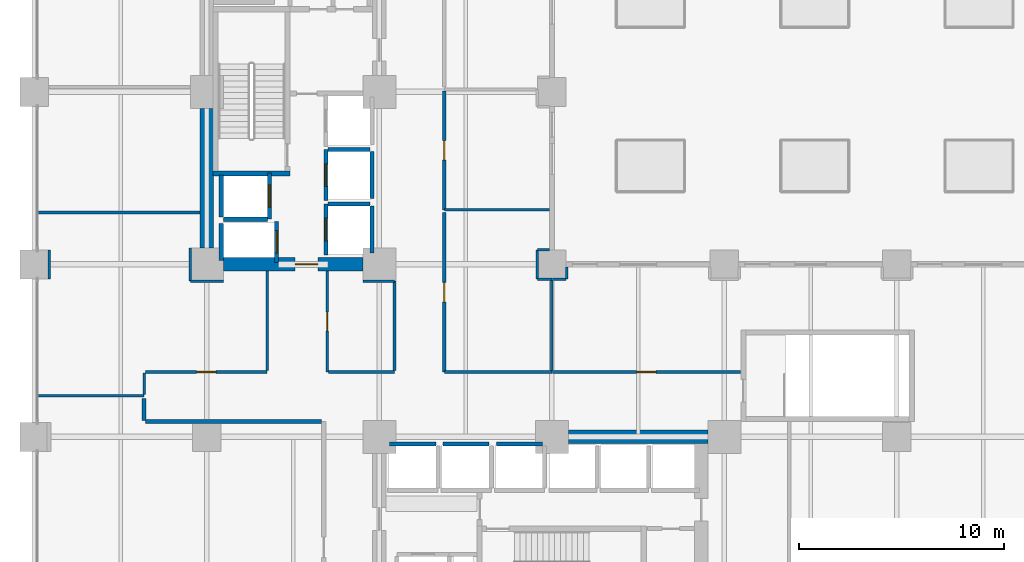
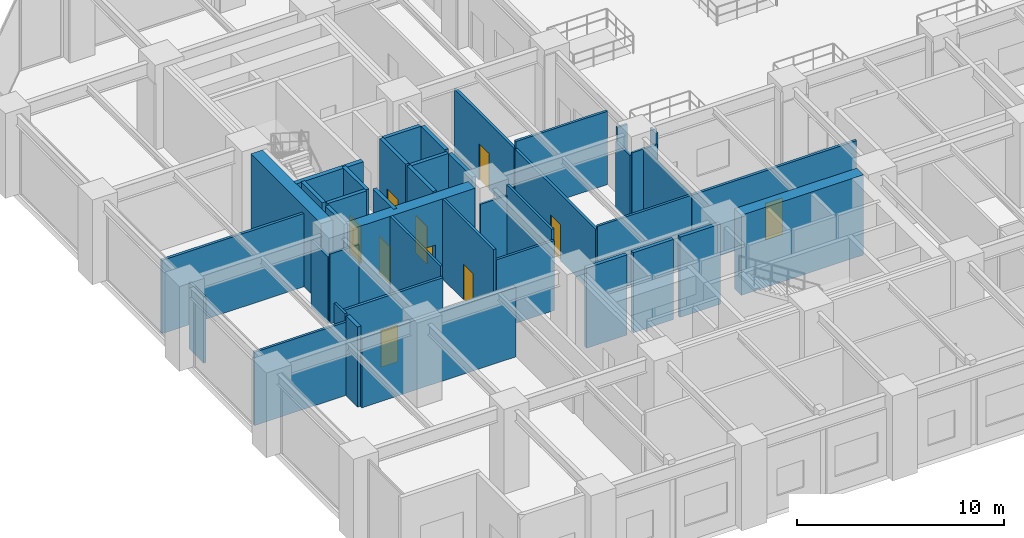
# One storey, part 14 of 21: 43 walls, 10 doors, 10 openings.
"""IFC4 building model written with IfcOpenShell, lengths in metres."""

from ifc_helpers import new_model, si_unit, direction, frame, frame_2d, origin, place, context, subcontext, project, spatial, rectangle, extrude, material, layer, layer_set, type_object, element, fill, save


model = new_model("IFC4")

# Units and contexts
model_context = context("Model", 3, precision=1e-05, world=origin(), true_north=direction((0.0, 1.0)))
body_context = subcontext(model_context, "Body", "Model", "MODEL_VIEW")
ifc_project = project(units=[si_unit("LENGTHUNIT", "METRE"), si_unit("AREAUNIT", "SQUARE_METRE"), si_unit("VOLUMEUNIT", "CUBIC_METRE"), si_unit("PLANEANGLEUNIT", "RADIAN"), si_unit("MASSUNIT", "GRAM", prefix="KILO")], contexts=[model_context])

# Site, building, storey
site_placement = place(None, origin())
site = spatial("IfcSite", under=ifc_project, at=site_placement, CompositionType="ELEMENT")
building_placement = place(site_placement, origin())
building = spatial("IfcBuilding", under=site, at=building_placement, Name="Nerrivon Quay Data Exchange", CompositionType="ELEMENT")
storey_placement = place(building_placement, frame((0.0, 0.0, 19.800048828125)))
storey = spatial("IfcBuildingStorey", under=building, at=storey_placement, Name="L04", CompositionType="ELEMENT", Elevation=19.800048828125)

# Wall
ifc_material_1 = material(Name="Concrete N80 (80 MPa)", Category="concrete")
ifc_layer_1 = layer(ifc_material_1, 0.64990234375)
ifc_layer_set_1 = layer_set([ifc_layer_1], Name="Concrete N80 (80 MPa)")
wall_type_1 = type_object("IfcWallType", Name="WALL-CW-850", PredefinedType="SHEAR", material=ifc_layer_set_1)
wall_1_placement = place(storey_placement, frame((8.39990234375, 26.0, 0.0), z_axis=(0.0, 0.0, 1.0), x_axis=(0.0, 1.0, 0.0)))
element("IfcWall", 1, at=wall_1_placement, inside=storey, type_object=wall_type_1, Name="L04 West Split-Core Shear Wall WCW-W1", PredefinedType="SHEAR", context=body_context, shape_type="SweptSolid", body=[
    extrude(rectangle(XDim=6.800048828125, YDim=0.64990234375, at=frame_2d((3.39990234375, 0.0))), origin(), (0.0, 0.0, 1.0), 4.724853515625),
])

# Wall, opening, door
wall_2_placement = place(storey_placement, frame((9.199951171875, 25.199951171875, 0.0), z_axis=(0.0, 0.0, 1.0), x_axis=(1.0, 0.0, 0.0)))
wall_2 = element("IfcWall", 2, at=wall_2_placement, inside=storey, type_object=wall_type_1, Name="L04 West Split-Core Shear Wall WCW-S1", PredefinedType="SHEAR", context=body_context, shape_type="SweptSolid", body=[
    extrude(rectangle(XDim=6.800048828125, YDim=0.64990234375, at=frame_2d((3.39990234375, 0.0))), origin(), (0.0, 0.0, 1.0), 4.724853515625),
])
opening_1_placement = place(wall_2_placement, frame((3.5, 0.0, 0.0)))
opening_1 = element("IfcOpeningElement", 3, at=opening_1_placement, cuts=wall_2, Name="Opening FD-120", PredefinedType="OPENING", context=body_context, shape_type="SweptSolid", body=[
    extrude(rectangle(XDim=1.10009765625, YDim=2.14990234375, at=frame_2d((0.550048828125, 1.074951171875))), frame((0.0, 0.3349609375, 0.0), z_axis=(0.0, -1.0, 0.0), x_axis=(1.0, 0.0, 0.0)), (0.0, 0.0, 1.0), 0.669921875),
])
ifc_material_2 = material(Name="Powder-coated galvanized steel sheet", Category="steel")
door_type_1 = type_object("IfcDoorType", Name="DR-FD120-1100", OperationType="NOTDEFINED", PredefinedType="DOOR", material=ifc_material_2)
door_1_placement = place(opening_1_placement, origin())
door_1 = element("IfcDoor", 4, at=door_1_placement, inside=storey, type_object=door_type_1, Name="L04 West Core Lobby Fire Door", OperationType="SINGLE_SWING_LEFT", OverallHeight=2.14990234375, OverallWidth=1.10009765625, PredefinedType="DOOR", context=body_context, shape_type="SweptSolid", body=[
    extrude(rectangle(XDim=1.10009765625, YDim=2.14990234375, at=frame_2d((0.550048828125, 1.074951171875))), frame((0.0, 0.02490234375, 0.0), z_axis=(0.0, -1.0, 0.0), x_axis=(1.0, 0.0, 0.0)), (0.0, 0.0, 1.0), 0.050048828125),
])
fill(opening_1, door_1)

# Wall
wall_3_placement = place(storey_placement, frame((26.0, 16.800048828125, 0.0), z_axis=(0.0, 0.0, 1.0), x_axis=(1.0, 0.0, 0.0)))
element("IfcWall", 5, at=wall_3_placement, inside=storey, type_object=wall_type_1, Name="L04 East Split-Core Shear Wall ECW-N1", PredefinedType="SHEAR", context=body_context, shape_type="SweptSolid", body=[
    extrude(rectangle(XDim=6.800048828125, YDim=0.64990234375, at=frame_2d((3.39990234375, 0.0))), origin(), (0.0, 0.0, 1.0), 4.724853515625),
])

# Wall, opening, door
ifc_material_3 = material(Name="Gypsum plasterboard on cold-formed framing", Category="gypsum")
ifc_layer_2 = layer(ifc_material_3, 0.199951171875)
ifc_layer_set_2 = layer_set([ifc_layer_2], Name="Gypsum plasterboard on cold-formed framing")
wall_type_2 = type_object("IfcWallType", Name="WALL-FW-200", PredefinedType="PARTITIONING", material=ifc_layer_set_2)
wall_4_placement = place(storey_placement, frame((11.449951171875, 27.39990234375, 0.0), z_axis=(0.0, 0.0, 1.0), x_axis=(0.0, 1.0, 0.0)))
wall_4 = element("IfcWall", 6, at=wall_4_placement, inside=storey, type_object=wall_type_2, Name="L04 Lift Front Wall FFL-1", PredefinedType="PARTITIONING", context=body_context, shape_type="SweptSolid", body=[
    extrude(rectangle(XDim=2.25, YDim=0.199951171875, at=frame_2d((1.125, 0.0))), origin(), (0.0, 0.0, 1.0), 4.724853515625),
])
opening_2_placement = place(wall_4_placement, frame((0.574951171875, 0.0, 0.0)))
opening_2 = element("IfcOpeningElement", 7, at=opening_2_placement, cuts=wall_4, Name="Opening LD-120", PredefinedType="OPENING", context=body_context, shape_type="SweptSolid", body=[
    extrude(rectangle(XDim=1.10009765625, YDim=2.199951171875, at=frame_2d((0.550048828125, 1.10009765625))), frame((0.0, 0.10986328125, 0.0), z_axis=(0.0, -1.0, 0.0), x_axis=(1.0, 0.0, 0.0)), (0.0, 0.0, 1.0), 0.219970703125),
])
door_type_2 = type_object("IfcDoorType", Name="DR-LIFT-LD120", OperationType="DOUBLE_DOOR_SLIDING", PredefinedType="DOOR", material=ifc_material_2)
door_2_placement = place(opening_2_placement, origin())
door_2 = element("IfcDoor", 8, at=door_2_placement, inside=storey, type_object=door_type_2, Name="L04 Lift Landing Sliding Door FFL-1", OperationType="DOUBLE_DOOR_SLIDING", OverallHeight=2.199951171875, OverallWidth=1.10009765625, PredefinedType="DOOR", context=body_context, shape_type="SweptSolid", body=[
    extrude(rectangle(XDim=1.10009765625, YDim=2.199951171875, at=frame_2d((0.550048828125, 1.10009765625))), frame((0.0, 0.02490234375, 0.0), z_axis=(0.0, -1.0, 0.0), x_axis=(1.0, 0.0, 0.0)), (0.0, 0.0, 1.0), 0.050048828125),
])
fill(opening_2, door_2)

# Walls
wall_5_placement = place(storey_placement, frame((9.10009765625, 27.5, 0.0), z_axis=(0.0, 0.0, 1.0), x_axis=(0.0, 1.0, 0.0)))
element("IfcWall", 9, at=wall_5_placement, inside=storey, type_object=wall_type_2, Name="L04 Lift Shaft Wall FFL-1 WEST", PredefinedType="PARTITIONING", context=body_context, shape_type="SweptSolid", body=[
    extrude(rectangle(XDim=2.050048828125, YDim=0.199951171875, at=frame_2d((1.02490234375, 0.0))), origin(), (0.0, 0.0, 1.0), 4.724853515625),
])
wall_6_placement = place(storey_placement, frame((9.199951171875, 27.39990234375, 0.0), z_axis=(0.0, 0.0, 1.0), x_axis=(1.0, 0.0, 0.0)))
element("IfcWall", 10, at=wall_6_placement, inside=storey, type_object=wall_type_2, Name="L04 Lift Shaft Wall FFL-1 SOUTH", PredefinedType="PARTITIONING", context=body_context, shape_type="SweptSolid", body=[
    extrude(rectangle(XDim=2.150146484375, YDim=0.199951171875, at=frame_2d((1.0751953125, 0.0))), origin(), (0.0, 0.0, 1.0), 4.724853515625),
])

# Wall, opening, door
wall_7_placement = place(storey_placement, frame((11.800048828125, 25.300048828125, 0.0), z_axis=(0.0, 0.0, 1.0), x_axis=(0.0, 1.0, 0.0)))
wall_7 = element("IfcWall", 11, at=wall_7_placement, inside=storey, type_object=wall_type_2, Name="L04 Lift Front Wall SVL-1", PredefinedType="PARTITIONING", context=body_context, shape_type="SweptSolid", body=[
    extrude(rectangle(XDim=2.0, YDim=0.199951171875, at=frame_2d((1.0, 0.0))), origin(), (0.0, 0.0, 1.0), 4.724853515625),
])
opening_3_placement = place(wall_7_placement, frame((0.449951171875, 0.0, 0.0)))
opening_3 = element("IfcOpeningElement", 12, at=opening_3_placement, cuts=wall_7, Name="Opening LD-120", PredefinedType="OPENING", context=body_context, shape_type="SweptSolid", body=[
    extrude(rectangle(XDim=1.10009765625, YDim=2.199951171875, at=frame_2d((0.550048828125, 1.10009765625))), frame((0.0, 0.10986328125, 0.0), z_axis=(0.0, -1.0, 0.0), x_axis=(1.0, 0.0, 0.0)), (0.0, 0.0, 1.0), 0.219970703125),
])
door_3_placement = place(opening_3_placement, origin())
door_3 = element("IfcDoor", 13, at=door_3_placement, inside=storey, type_object=door_type_2, Name="L04 Lift Landing Sliding Door SVL-1", OperationType="DOUBLE_DOOR_SLIDING", OverallHeight=2.199951171875, OverallWidth=1.10009765625, PredefinedType="DOOR", context=body_context, shape_type="SweptSolid", body=[
    extrude(rectangle(XDim=1.10009765625, YDim=2.199951171875, at=frame_2d((0.550048828125, 1.10009765625))), frame((0.0, 0.02490234375, 0.0), z_axis=(0.0, -1.0, 0.0), x_axis=(1.0, 0.0, 0.0)), (0.0, 0.0, 1.0), 0.050048828125),
])
fill(opening_3, door_3)

# Wall
wall_8_placement = place(storey_placement, frame((9.10009765625, 25.39990234375, 0.0), z_axis=(0.0, 0.0, 1.0), x_axis=(0.0, 1.0, 0.0)))
element("IfcWall", 14, at=wall_8_placement, inside=storey, type_object=wall_type_2, Name="L04 Lift Shaft Wall SVL-1 WEST", PredefinedType="PARTITIONING", context=body_context, shape_type="SweptSolid", body=[
    extrude(rectangle(XDim=1.800048828125, YDim=0.199951171875, at=frame_2d((0.89990234375, 0.0))), origin(), (0.0, 0.0, 1.0), 4.724853515625),
])

# Wall, opening, door
wall_9_placement = place(storey_placement, frame((14.199951171875, 25.64990234375, 0.0), z_axis=(0.0, 0.0, 1.0), x_axis=(0.0, 1.0, 0.0)))
wall_9 = element("IfcWall", 15, at=wall_9_placement, inside=storey, type_object=wall_type_2, Name="L04 Lift Front Wall PL1", PredefinedType="PARTITIONING", context=body_context, shape_type="SweptSolid", body=[
    extrude(rectangle(XDim=2.5, YDim=0.199951171875, at=frame_2d((1.25, 0.0))), origin(), (0.0, 0.0, 1.0), 4.724853515625),
])
opening_4_placement = place(wall_9_placement, frame((0.699951171875, 0.0, 0.0)))
opening_4 = element("IfcOpeningElement", 16, at=opening_4_placement, cuts=wall_9, Name="Opening LD-120", PredefinedType="OPENING", context=body_context, shape_type="SweptSolid", body=[
    extrude(rectangle(XDim=1.10009765625, YDim=2.199951171875, at=frame_2d((0.550048828125, 1.10009765625))), frame((0.0, 0.10986328125, 0.0), z_axis=(0.0, -1.0, 0.0), x_axis=(1.0, 0.0, 0.0)), (0.0, 0.0, 1.0), 0.219970703125),
])
door_4_placement = place(opening_4_placement, origin())
door_4 = element("IfcDoor", 17, at=door_4_placement, inside=storey, type_object=door_type_2, Name="L04 Lift Landing Sliding Door PL1", OperationType="DOUBLE_DOOR_SLIDING", OverallHeight=2.199951171875, OverallWidth=1.10009765625, PredefinedType="DOOR", context=body_context, shape_type="SweptSolid", body=[
    extrude(rectangle(XDim=1.10009765625, YDim=2.199951171875, at=frame_2d((0.550048828125, 1.10009765625))), frame((0.0, 0.02490234375, 0.0), z_axis=(0.0, -1.0, 0.0), x_axis=(1.0, 0.0, 0.0)), (0.0, 0.0, 1.0), 0.050048828125),
])
fill(opening_4, door_4)

# Walls
wall_10_placement = place(storey_placement, frame((16.449951171875, 25.75, 0.0), z_axis=(0.0, 0.0, 1.0), x_axis=(0.0, 1.0, 0.0)))
element("IfcWall", 18, at=wall_10_placement, inside=storey, type_object=wall_type_2, Name="L04 Lift Shaft Wall PL1 EAST", PredefinedType="PARTITIONING", context=body_context, shape_type="SweptSolid", body=[
    extrude(rectangle(XDim=2.300048828125, YDim=0.199951171875, at=frame_2d((1.14990234375, 0.0))), origin(), (0.0, 0.0, 1.0), 4.724853515625),
])
wall_11_placement = place(storey_placement, frame((14.300048828125, 28.14990234375, 0.0), z_axis=(0.0, 0.0, 1.0), x_axis=(1.0, 0.0, 0.0)))
element("IfcWall", 19, at=wall_11_placement, inside=storey, type_object=wall_type_2, Name="L04 Lift Shaft Wall PL1 NORTH", PredefinedType="PARTITIONING", context=body_context, shape_type="SweptSolid", body=[
    extrude(rectangle(XDim=2.050048828125, YDim=0.199951171875, at=frame_2d((1.02490234375, 0.0))), origin(), (0.0, 0.0, 1.0), 4.724853515625),
])

# Wall, opening, door
wall_12_placement = place(storey_placement, frame((14.199951171875, 28.300048828125, 0.0), z_axis=(0.0, 0.0, 1.0), x_axis=(0.0, 1.0, 0.0)))
wall_12 = element("IfcWall", 20, at=wall_12_placement, inside=storey, type_object=wall_type_2, Name="L04 Lift Front Wall PL2", PredefinedType="PARTITIONING", context=body_context, shape_type="SweptSolid", body=[
    extrude(rectangle(XDim=2.5, YDim=0.199951171875, at=frame_2d((1.25, 0.0))), origin(), (0.0, 0.0, 1.0), 4.724853515625),
])
opening_5_placement = place(wall_12_placement, frame((0.699951171875, 0.0, 0.0)))
opening_5 = element("IfcOpeningElement", 21, at=opening_5_placement, cuts=wall_12, Name="Opening LD-120", PredefinedType="OPENING", context=body_context, shape_type="SweptSolid", body=[
    extrude(rectangle(XDim=1.10009765625, YDim=2.199951171875, at=frame_2d((0.550048828125, 1.10009765625))), frame((0.0, 0.10986328125, 0.0), z_axis=(0.0, -1.0, 0.0), x_axis=(1.0, 0.0, 0.0)), (0.0, 0.0, 1.0), 0.219970703125),
])
door_5_placement = place(opening_5_placement, origin())
door_5 = element("IfcDoor", 22, at=door_5_placement, inside=storey, type_object=door_type_2, Name="L04 Lift Landing Sliding Door PL2", OperationType="DOUBLE_DOOR_SLIDING", OverallHeight=2.199951171875, OverallWidth=1.10009765625, PredefinedType="DOOR", context=body_context, shape_type="SweptSolid", body=[
    extrude(rectangle(XDim=1.10009765625, YDim=2.199951171875, at=frame_2d((0.550048828125, 1.10009765625))), frame((0.0, 0.02490234375, 0.0), z_axis=(0.0, -1.0, 0.0), x_axis=(1.0, 0.0, 0.0)), (0.0, 0.0, 1.0), 0.050048828125),
])
fill(opening_5, door_5)

# Walls
wall_13_placement = place(storey_placement, frame((16.449951171875, 28.39990234375, 0.0), z_axis=(0.0, 0.0, 1.0), x_axis=(0.0, 1.0, 0.0)))
element("IfcWall", 23, at=wall_13_placement, inside=storey, type_object=wall_type_2, Name="L04 Lift Shaft Wall PL2 EAST", PredefinedType="PARTITIONING", context=body_context, shape_type="SweptSolid", body=[
    extrude(rectangle(XDim=2.300048828125, YDim=0.199951171875, at=frame_2d((1.14990234375, 0.0))), origin(), (0.0, 0.0, 1.0), 4.724853515625),
])
wall_14_placement = place(storey_placement, frame((14.300048828125, 30.800048828125, 0.0), z_axis=(0.0, 0.0, 1.0), x_axis=(1.0, 0.0, 0.0)))
element("IfcWall", 24, at=wall_14_placement, inside=storey, type_object=wall_type_2, Name="L04 Lift Shaft Wall PL2 NORTH", PredefinedType="PARTITIONING", context=body_context, shape_type="SweptSolid", body=[
    extrude(rectangle(XDim=2.050048828125, YDim=0.199951171875, at=frame_2d((1.02490234375, 0.0))), origin(), (0.0, 0.0, 1.0), 4.724853515625),
])
for number, where, z_axis, x_axis, name in (
    (25, (17.300048828125, 16.449951171875, 0.0), (0.0, 0.0, 1.0), (1.0, 0.0, 0.0), "L04 Lift Shaft Wall PL4 NORTH"),
    (26, (19.89990234375, 16.449951171875, 0.0), (0.0, 0.0, 1.0), (1.0, 0.0, 0.0), "L04 Lift Shaft Wall PL5 NORTH"),
    (27, (22.5, 16.449951171875, 0.0), (0.0, 0.0, 1.0), (1.0, 0.0, 0.0), "L04 Lift Shaft Wall PL6 NORTH"),
):
    element("IfcWall", number, at=place(storey_placement, frame(where, z_axis=z_axis, x_axis=x_axis)), inside=storey, type_object=wall_type_2, Name=name, PredefinedType="PARTITIONING", context=body_context, shape_type="SweptSolid", body=[
        extrude(rectangle(XDim=2.25, YDim=0.199951171875, at=frame_2d((1.125, 0.0))), origin(), (0.0, 0.0, 1.0), 4.724853515625),
    ])
wall_15_placement = place(storey_placement, frame((13.986083984375, 17.5400390625, 0.0), z_axis=(0.0, 0.0, 1.0), x_axis=(-1.0, 0.0, 0.0)))
element("IfcWall", 28, at=wall_15_placement, inside=storey, type_object=wall_type_2, Name="L04 Partition Colocation Data Workspace 1", PredefinedType="PARTITIONING", context=body_context, shape_type="SweptSolid", body=[
    extrude(rectangle(XDim=8.586181640625, YDim=0.199951171875, at=frame_2d((4.29296875, 0.0))), origin(), (0.0, 0.0, 1.0), 4.113037109375),
])
wall_16_placement = place(storey_placement, frame((5.34033203125, 17.593994140625, 0.0), z_axis=(0.0, 0.0, 1.0), x_axis=(-0.000224567702, 0.999999974785, 0.0)))
element("IfcWall", 29, at=wall_16_placement, inside=storey, type_object=wall_type_2, Name="L04 Partition Colocation Data Workspace 1", PredefinedType="PARTITIONING", context=body_context, shape_type="SweptSolid", body=[
    extrude(rectangle(XDim=1.087158203125, YDim=0.199951171875, at=frame_2d((0.54345703125, 0.0))), origin(), (0.0, 0.0, 1.0), 4.724853515625),
])
ifc_layer_3 = layer(ifc_material_3, 0.1201171875)
ifc_layer_set_3 = layer_set([ifc_layer_3], Name="Gypsum plasterboard on cold-formed framing")
wall_type_3 = type_object("IfcWallType", Name="WALL-PT-120", PredefinedType="PARTITIONING", material=ifc_layer_set_3)
wall_17_placement = place(storey_placement, frame((17.5400390625, 24.3798828125, 0.0), z_axis=(0.0, 0.0, 1.0), x_axis=(-0.99999980047, 0.000631711813, 0.0)))
element("IfcWall", 30, at=wall_17_placement, inside=storey, type_object=wall_type_3, Name="L04 Partition Public Washrooms", PredefinedType="PARTITIONING", context=body_context, shape_type="SweptSolid", body=[
    extrude(rectangle(XDim=1.5458984375, YDim=0.1201171875, at=frame_2d((0.77294921875, 0.0))), origin(), (0.0, 0.0, 1.0), 4.113037109375),
])
wall_18_placement = place(storey_placement, frame((25.199951171875, 24.47998046875, 0.0), z_axis=(0.0, 0.0, 1.0), x_axis=(-1.0, 0.0, 0.0)))
element("IfcWall", 31, at=wall_18_placement, inside=storey, type_object=wall_type_3, Name="L04 Partition Engineers Lounge", PredefinedType="PARTITIONING", context=body_context, shape_type="SweptSolid", body=[
    extrude(rectangle(XDim=0.699951171875, YDim=0.1201171875, at=frame_2d((0.35009765625, 0.0))), origin(), (0.0, 0.0, 1.0), 4.113037109375),
])
wall_19_placement = place(storey_placement, frame((24.47998046875, 24.5, 0.0), z_axis=(0.0, 0.0, 1.0), x_axis=(0.0, 1.0, 0.0)))
element("IfcWall", 32, at=wall_19_placement, inside=storey, type_object=wall_type_3, Name="L04 Partition Engineers Lounge", PredefinedType="PARTITIONING", context=body_context, shape_type="SweptSolid", body=[
    extrude(rectangle(XDim=1.39990234375, YDim=0.1201171875, at=frame_2d((0.699951171875, 0.0))), origin(), (0.0, 0.0, 1.0), 3.925048828125),
])
wall_20_placement = place(storey_placement, frame((24.5, 25.919921875, 0.0), z_axis=(0.0, 0.0, 1.0), x_axis=(1.0, 0.0, 0.0)))
element("IfcWall", 33, at=wall_20_placement, inside=storey, type_object=wall_type_3, Name="L04 Partition Engineers Lounge", PredefinedType="PARTITIONING", context=body_context, shape_type="SweptSolid", body=[
    extrude(rectangle(XDim=0.575927734375, YDim=0.1201171875, at=frame_2d((0.2880859375, 0.0))), origin(), (0.0, 0.0, 1.0), 4.724853515625),
])
wall_21_placement = place(storey_placement, frame((9.205810546875, 24.380859375, 0.0), z_axis=(0.0, 0.0, 1.0), x_axis=(-0.999999815059, -0.000608179909, 0.0)))
element("IfcWall", 34, at=wall_21_placement, inside=storey, type_object=wall_type_3, Name="L04 Partition Peering Day Lounge", PredefinedType="PARTITIONING", context=body_context, shape_type="SweptSolid", body=[
    extrude(rectangle(XDim=1.605712890625, YDim=0.1201171875, at=frame_2d((0.802734375, 0.0))), origin(), (0.0, 0.0, 1.0), 4.113037109375),
])
wall_22_placement = place(storey_placement, frame((7.580078125, 24.39990234375, 0.0), z_axis=(0.0, 0.0, 1.0), x_axis=(0.000456065626, 0.999999896002, 0.0)))
element("IfcWall", 35, at=wall_22_placement, inside=storey, type_object=wall_type_3, Name="L04 Partition Peering Day Lounge", PredefinedType="PARTITIONING", context=body_context, shape_type="SweptSolid", body=[
    extrude(rectangle(XDim=1.60595703125, YDim=0.1201171875, at=frame_2d((0.802978515625, 0.0))), origin(), (0.0, 0.0, 1.0), 3.925048828125),
])
wall_23_placement = place(storey_placement, frame((0.719970703125, 25.89990234375, 0.0), z_axis=(0.0, 0.0, 1.0), x_axis=(0.0, -1.0, 0.0)))
element("IfcWall", 36, at=wall_23_placement, inside=storey, type_object=wall_type_3, Name="L04 Partition Peering Day Lounge", PredefinedType="PARTITIONING", context=body_context, shape_type="SweptSolid", body=[
    extrude(rectangle(XDim=1.39990234375, YDim=0.1201171875, at=frame_2d((0.699951171875, 0.0))), origin(), (0.0, 0.0, 1.0), 3.925048828125),
])
wall_24_placement = place(storey_placement, frame((5.340087890625, 18.872802734375, 0.0), z_axis=(0.0, 0.0, 1.0), x_axis=(0.0, 1.0, 0.0)))
element("IfcWall", 37, at=wall_24_placement, inside=storey, type_object=wall_type_3, Name="L04 Partition Peering Day Lounge", PredefinedType="PARTITIONING", context=body_context, shape_type="SweptSolid", body=[
    extrude(rectangle(XDim=1.027099609375, YDim=0.1201171875, at=frame_2d((0.513671875, 0.0))), origin(), (0.0, 0.0, 1.0), 4.724853515625),
])
wall_25_placement = place(storey_placement, frame((25.919921875, 25.075927734375, 0.0), z_axis=(0.0, 0.0, 1.0), x_axis=(0.0, -1.0, 0.0)))
element("IfcWall", 38, at=wall_25_placement, inside=storey, type_object=wall_type_3, Name="L04 Partition Staff Bistro", PredefinedType="PARTITIONING", context=body_context, shape_type="SweptSolid", body=[
    extrude(rectangle(XDim=0.575927734375, YDim=0.1201171875, at=frame_2d((0.2880859375, 0.0))), origin(), (0.0, 0.0, 1.0), 4.724853515625),
])
wall_26_placement = place(storey_placement, frame((25.89990234375, 24.47998046875, 0.0), z_axis=(0.0, 0.0, 1.0), x_axis=(-1.0, 0.0, 0.0)))
element("IfcWall", 39, at=wall_26_placement, inside=storey, type_object=wall_type_3, Name="L04 Partition Staff Bistro", PredefinedType="PARTITIONING", context=body_context, shape_type="SweptSolid", body=[
    extrude(rectangle(XDim=0.679931640625, YDim=0.1201171875, at=frame_2d((0.33984375, 0.0))), origin(), (0.0, 0.0, 1.0), 4.113037109375),
])

# Wall, opening, door
ifc_layer_4 = layer(ifc_material_3, 0.135009765625)
ifc_layer_set_4 = layer_set([ifc_layer_4], Name="Gypsum plasterboard on cold-formed framing")
wall_type_4 = type_object("IfcWallType", Name="WALL-PT-135", PredefinedType="PARTITIONING", material=ifc_layer_set_4)
wall_27_placement = place(storey_placement, frame((14.260009765625, 24.87109375, 0.0), z_axis=(0.0, 0.0, 1.0), x_axis=(0.0, -1.0, 0.0)))
wall_27 = element("IfcWall", 40, at=wall_27_placement, inside=storey, type_object=wall_type_4, Name="L04 Partition Public Washrooms", PredefinedType="PARTITIONING", context=body_context, shape_type="SweptSolid", body=[
    extrude(rectangle(XDim=4.9111328125, YDim=0.135009765625, at=frame_2d((2.45556640625, 0.0))), origin(), (0.0, 0.0, 1.0), 4.724853515625),
])
opening_6_placement = place(wall_27_placement, frame((1.99560546875, 0.0, 0.0)))
opening_6 = element("IfcOpeningElement", 41, at=opening_6_placement, cuts=wall_27, Name="Opening D-WC", PredefinedType="OPENING", context=body_context, shape_type="SweptSolid", body=[
    extrude(rectangle(XDim=0.919921875, YDim=2.10009765625, at=frame_2d((0.4599609375, 1.050048828125))), frame((0.0, 0.077392578125, 0.0), z_axis=(0.0, -1.0, 0.0), x_axis=(1.0, 0.0, 0.0)), (0.0, 0.0, 1.0), 0.155029296875),
])
ifc_material_4 = material(Name="Engineered hardwood timber", Category="wood")
door_type_3 = type_object("IfcDoorType", Name="DR-WC-920", OperationType="NOTDEFINED", PredefinedType="DOOR", material=ifc_material_4)
door_6_placement = place(opening_6_placement, origin())
door_6 = element("IfcDoor", 42, at=door_6_placement, inside=storey, type_object=door_type_3, Name="L04 Door Public Washrooms", OperationType="SINGLE_SWING_RIGHT", OverallHeight=2.10009765625, OverallWidth=0.919921875, PredefinedType="DOOR", context=body_context, shape_type="SweptSolid", body=[
    extrude(rectangle(XDim=0.919921875, YDim=2.10009765625, at=frame_2d((0.4599609375, 1.050048828125))), frame((0.0, 0.02490234375, 0.0), z_axis=(0.0, -1.0, 0.0), x_axis=(1.0, 0.0, 0.0)), (0.0, 0.0, 1.0), 0.050048828125),
])
fill(opening_6, door_6)

# Walls
wall_28_placement = place(storey_placement, frame((14.33154296875, 19.9599609375, 0.0), z_axis=(0.0, 0.0, 1.0), x_axis=(1.0, 0.0, 0.0)))
element("IfcWall", 43, at=wall_28_placement, inside=storey, type_object=wall_type_4, Name="L04 Partition Public Washrooms", PredefinedType="PARTITIONING", context=body_context, shape_type="SweptSolid", body=[
    extrude(rectangle(XDim=3.20849609375, YDim=0.135009765625, at=frame_2d((1.604248046875, 0.0))), origin(), (0.0, 0.0, 1.0), 4.113037109375),
])
wall_29_placement = place(storey_placement, frame((17.5400390625, 20.031494140625, 0.0), z_axis=(0.0, 0.0, 1.0), x_axis=(0.0, 1.0, 0.0)))
element("IfcWall", 44, at=wall_29_placement, inside=storey, type_object=wall_type_4, Name="L04 Partition Public Washrooms", PredefinedType="PARTITIONING", context=body_context, shape_type="SweptSolid", body=[
    extrude(rectangle(XDim=4.348388671875, YDim=0.135009765625, at=frame_2d((2.17431640625, 0.0))), origin(), (0.0, 0.0, 1.0), 4.724853515625),
])
wall_30_placement = place(storey_placement, frame((19.9599609375, 27.857177734375, 0.0), z_axis=(0.0, 0.0, 1.0), x_axis=(1.0, 0.0, 0.0)))
element("IfcWall", 45, at=wall_30_placement, inside=storey, type_object=wall_type_4, Name="L04 Partition Staff Pantry", PredefinedType="PARTITIONING", context=body_context, shape_type="SweptSolid", body=[
    extrude(rectangle(XDim=5.115966796875, YDim=0.135009765625, at=frame_2d((2.55810546875, 0.0))), origin(), (0.0, 0.0, 1.0), 4.322021484375),
])
wall_31_placement = place(storey_placement, frame((19.9599609375, 19.9599609375, 0.0), z_axis=(0.0, 0.0, 1.0), x_axis=(1.0, 0.0, 0.0)))
element("IfcWall", 46, at=wall_31_placement, inside=storey, type_object=wall_type_4, Name="L04 Partition Engineers Lounge", PredefinedType="PARTITIONING", context=body_context, shape_type="SweptSolid", body=[
    extrude(rectangle(XDim=5.239990234375, YDim=0.135009765625, at=frame_2d((2.6201171875, 0.0))), origin(), (0.0, 0.0, 1.0), 4.113037109375),
])
wall_32_placement = place(storey_placement, frame((25.199951171875, 20.031494140625, 0.0), z_axis=(0.0, 0.0, 1.0), x_axis=(0.0, 1.0, 0.0)))
element("IfcWall", 47, at=wall_32_placement, inside=storey, type_object=wall_type_4, Name="L04 Partition Engineers Lounge", PredefinedType="PARTITIONING", context=body_context, shape_type="SweptSolid", body=[
    extrude(rectangle(XDim=4.384521484375, YDim=0.135009765625, at=frame_2d((2.1923828125, 0.0))), origin(), (0.0, 0.0, 1.0), 4.113037109375),
])
wall_33_placement = place(storey_placement, frame((0.1689453125, 18.80126953125, 0.0), z_axis=(0.0, 0.0, 1.0), x_axis=(1.0, 0.0, 0.0)))
element("IfcWall", 48, at=wall_33_placement, inside=storey, type_object=wall_type_4, Name="L04 Partition Peering Day Lounge", PredefinedType="PARTITIONING", context=body_context, shape_type="SweptSolid", body=[
    extrude(rectangle(XDim=5.171142578125, YDim=0.135009765625, at=frame_2d((2.58544921875, 0.0))), origin(), (0.0, 0.0, 1.0), 4.322021484375),
])
wall_34_placement = place(storey_placement, frame((11.340087890625, 20.0390625, 0.0), z_axis=(0.0, 0.0, 1.0), x_axis=(0.0, 1.0, 0.0)))
element("IfcWall", 49, at=wall_34_placement, inside=storey, type_object=wall_type_4, Name="L04 Partition Peering Day Lounge", PredefinedType="PARTITIONING", context=body_context, shape_type="SweptSolid", body=[
    extrude(rectangle(XDim=4.83203125, YDim=0.135009765625, at=frame_2d((2.416015625, 0.0))), origin(), (0.0, 0.0, 1.0), 4.724853515625),
])

# Wall, opening, door
ifc_layer_5 = layer(ifc_material_3, 0.14990234375)
ifc_layer_set_5 = layer_set([ifc_layer_5], Name="Gypsum plasterboard on cold-formed framing")
wall_type_5 = type_object("IfcWallType", Name="WALL-PT-150", PredefinedType="PARTITIONING", material=ifc_layer_set_5)
wall_35_placement = place(storey_placement, frame((19.959716796875, 33.642578125, 0.0), z_axis=(0.0, 0.0, 1.0), x_axis=(4.2199434e-05, -0.99999999911, 0.0)))
wall_35 = element("IfcWall", 50, at=wall_35_placement, inside=storey, type_object=wall_type_5, Name="L04 Partition Staff Pantry", PredefinedType="PARTITIONING", context=body_context, shape_type="SweptSolid", body=[
    extrude(rectangle(XDim=5.785400390625, YDim=0.14990234375, at=frame_2d((2.892578125, 0.0))), origin(), (0.0, 0.0, 1.0), 3.925048828125),
])
opening_7_placement = place(wall_35_placement, frame((2.417724609375, 0.0, 0.0)))
opening_7 = element("IfcOpeningElement", 51, at=opening_7_placement, cuts=wall_35, Name="Opening D-01", PredefinedType="OPENING", context=body_context, shape_type="SweptSolid", body=[
    extrude(rectangle(XDim=0.949951171875, YDim=2.14990234375, at=frame_2d((0.47509765625, 1.074951171875))), frame((0.0, 0.0849609375, 0.0), z_axis=(0.0, -1.0, 0.0), x_axis=(1.0, 0.0, 0.0)), (0.0, 0.0, 1.0), 0.169921875),
])
door_type_4 = type_object("IfcDoorType", Name="DR-INT-950", OperationType="NOTDEFINED", PredefinedType="DOOR", material=ifc_material_4)
door_7_placement = place(opening_7_placement, origin())
door_7 = element("IfcDoor", 52, at=door_7_placement, inside=storey, type_object=door_type_4, Name="L04 Door Staff Pantry", OperationType="SINGLE_SWING_LEFT", OverallHeight=2.14990234375, OverallWidth=0.949951171875, PredefinedType="DOOR", context=body_context, shape_type="SweptSolid", body=[
    extrude(rectangle(XDim=0.949951171875, YDim=2.14990234375, at=frame_2d((0.47509765625, 1.074951171875))), frame((0.0, 0.02490234375, 0.0), z_axis=(0.0, -1.0, 0.0), x_axis=(1.0, 0.0, 0.0)), (0.0, 0.0, 1.0), 0.050048828125),
])
fill(opening_7, door_7)

wall_36_placement = place(storey_placement, frame((19.9599609375, 27.7373046875, 0.0), z_axis=(0.0, 0.0, 1.0), x_axis=(0.0, -1.0, 0.0)))
wall_36 = element("IfcWall", 53, at=wall_36_placement, inside=storey, type_object=wall_type_5, Name="L04 Partition Engineers Lounge", PredefinedType="PARTITIONING", context=body_context, shape_type="SweptSolid", body=[
    extrude(rectangle(XDim=7.77734375, YDim=0.14990234375, at=frame_2d((3.888671875, 0.0))), origin(), (0.0, 0.0, 1.0), 3.925048828125),
])
opening_8_placement = place(wall_36_placement, frame((3.41357421875, 0.0, 0.0)))
opening_8 = element("IfcOpeningElement", 54, at=opening_8_placement, cuts=wall_36, Name="Opening D-01", PredefinedType="OPENING", context=body_context, shape_type="SweptSolid", body=[
    extrude(rectangle(XDim=0.949951171875, YDim=2.14990234375, at=frame_2d((0.47509765625, 1.074951171875))), frame((0.0, 0.0849609375, 0.0), z_axis=(0.0, -1.0, 0.0), x_axis=(1.0, 0.0, 0.0)), (0.0, 0.0, 1.0), 0.169921875),
])
door_8_placement = place(opening_8_placement, origin())
door_8 = element("IfcDoor", 55, at=door_8_placement, inside=storey, type_object=door_type_4, Name="L04 Door Engineers Lounge", OperationType="SINGLE_SWING_RIGHT", OverallHeight=2.14990234375, OverallWidth=0.949951171875, PredefinedType="DOOR", context=body_context, shape_type="SweptSolid", body=[
    extrude(rectangle(XDim=0.949951171875, YDim=2.14990234375, at=frame_2d((0.47509765625, 1.074951171875))), frame((0.0, 0.02490234375, 0.0), z_axis=(0.0, -1.0, 0.0), x_axis=(1.0, 0.0, 0.0)), (0.0, 0.0, 1.0), 0.050048828125),
])
fill(opening_8, door_8)

# Wall
wall_37_placement = place(storey_placement, frame((8.071044921875, 27.7373046875, 0.0), z_axis=(0.0, 0.0, 1.0), x_axis=(-1.0, 0.0, 0.0)))
element("IfcWall", 56, at=wall_37_placement, inside=storey, type_object=wall_type_5, Name="L04 Partition Peering Day Lounge", PredefinedType="PARTITIONING", context=body_context, shape_type="SweptSolid", body=[
    extrude(rectangle(XDim=7.902099609375, YDim=0.14990234375, at=frame_2d((3.951171875, 0.0))), origin(), (0.0, 0.0, 1.0), 4.322021484375),
])

# Wall, opening, door
wall_38_placement = place(storey_placement, frame((5.39990234375, 19.9599609375, 0.0), z_axis=(0.0, 0.0, 1.0), x_axis=(1.0, 0.0, 0.0)))
wall_38 = element("IfcWall", 57, at=wall_38_placement, inside=storey, type_object=wall_type_5, Name="L04 Partition Peering Day Lounge", PredefinedType="PARTITIONING", context=body_context, shape_type="SweptSolid", body=[
    extrude(rectangle(XDim=5.940185546875, YDim=0.14990234375, at=frame_2d((2.97021484375, 0.0))), origin(), (0.0, 0.0, 1.0), 4.113037109375),
])
opening_9_placement = place(wall_38_placement, frame((2.4951171875, 0.0, 0.0)))
opening_9 = element("IfcOpeningElement", 58, at=opening_9_placement, cuts=wall_38, Name="Opening D-01", PredefinedType="OPENING", context=body_context, shape_type="SweptSolid", body=[
    extrude(rectangle(XDim=0.949951171875, YDim=2.14990234375, at=frame_2d((0.47509765625, 1.074951171875))), frame((0.0, 0.0849609375, 0.0), z_axis=(0.0, -1.0, 0.0), x_axis=(1.0, 0.0, 0.0)), (0.0, 0.0, 1.0), 0.169921875),
])
door_9_placement = place(opening_9_placement, origin())
door_9 = element("IfcDoor", 59, at=door_9_placement, inside=storey, type_object=door_type_4, Name="L04 Door Peering Day Lounge", OperationType="SINGLE_SWING_LEFT", OverallHeight=2.14990234375, OverallWidth=0.949951171875, PredefinedType="DOOR", context=body_context, shape_type="SweptSolid", body=[
    extrude(rectangle(XDim=0.949951171875, YDim=2.14990234375, at=frame_2d((0.47509765625, 1.074951171875))), frame((0.0, 0.02490234375, 0.0), z_axis=(0.0, -1.0, 0.0), x_axis=(1.0, 0.0, 0.0)), (0.0, 0.0, 1.0), 0.050048828125),
])
fill(opening_9, door_9)

wall_39_placement = place(storey_placement, frame((25.219970703125, 19.9599609375, 0.0), z_axis=(0.0, 0.0, 1.0), x_axis=(1.0, 0.0, 0.0)))
wall_39 = element("IfcWall", 60, at=wall_39_placement, inside=storey, type_object=wall_type_5, Name="L04 Partition Staff Bistro", PredefinedType="PARTITIONING", context=body_context, shape_type="SweptSolid", body=[
    extrude(rectangle(XDim=9.176025390625, YDim=0.14990234375, at=frame_2d((4.587890625, 0.0))), origin(), (0.0, 0.0, 1.0), 4.113037109375),
])
opening_10_placement = place(wall_39_placement, frame((4.113037109375, 0.0, 0.0)))
opening_10 = element("IfcOpeningElement", 61, at=opening_10_placement, cuts=wall_39, Name="Opening D-01", PredefinedType="OPENING", context=body_context, shape_type="SweptSolid", body=[
    extrude(rectangle(XDim=0.949951171875, YDim=2.14990234375, at=frame_2d((0.47509765625, 1.074951171875))), frame((0.0, 0.0849609375, 0.0), z_axis=(0.0, -1.0, 0.0), x_axis=(1.0, 0.0, 0.0)), (0.0, 0.0, 1.0), 0.169921875),
])
door_10_placement = place(opening_10_placement, origin())
door_10 = element("IfcDoor", 62, at=door_10_placement, inside=storey, type_object=door_type_4, Name="L04 Door Staff Bistro", OperationType="SINGLE_SWING_LEFT", OverallHeight=2.14990234375, OverallWidth=0.949951171875, PredefinedType="DOOR", context=body_context, shape_type="SweptSolid", body=[
    extrude(rectangle(XDim=0.949951171875, YDim=2.14990234375, at=frame_2d((0.47509765625, 1.074951171875))), frame((0.0, 0.02490234375, 0.0), z_axis=(0.0, -1.0, 0.0), x_axis=(1.0, 0.0, 0.0)), (0.0, 0.0, 1.0), 0.050048828125),
])
fill(opening_10, door_10)

# Wall
ifc_material_5 = material(Name="Concrete N50 (50 MPa)", Category="concrete")
ifc_layer_6 = layer(ifc_material_5, 0.25)
ifc_layer_set_6 = layer_set([ifc_layer_6], Name="Concrete N50 (50 MPa)")
wall_type_6 = type_object("IfcWallType", Name="WALL-SW-250", PredefinedType="SHEAR", material=ifc_layer_set_6)
wall_40_placement = place(storey_placement, frame((12.449951171875, 29.625, 0.0), z_axis=(0.0, 0.0, 1.0), x_axis=(-1.0, 0.0, 0.0)))
element("IfcWall", 63, at=wall_40_placement, inside=storey, type_object=wall_type_6, Name="L04 ST01 Structural Stair Core Wall NEAR", PredefinedType="SHEAR", context=body_context, shape_type="SweptSolid", body=[
    extrude(rectangle(XDim=3.75, YDim=0.25, at=frame_2d((1.875, 0.0))), origin(), (0.0, 0.0, 1.0), 4.724853515625),
])

save(model, "model.ifc")
